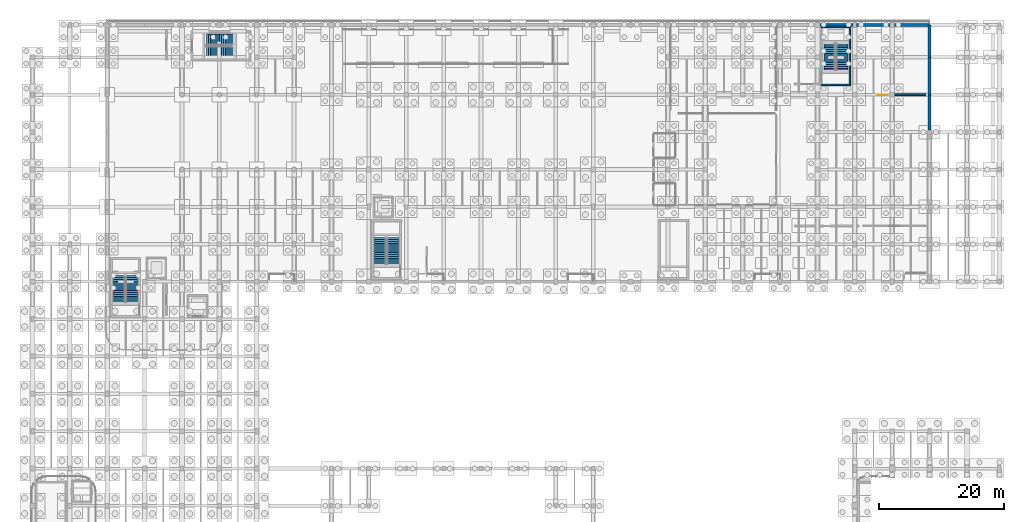
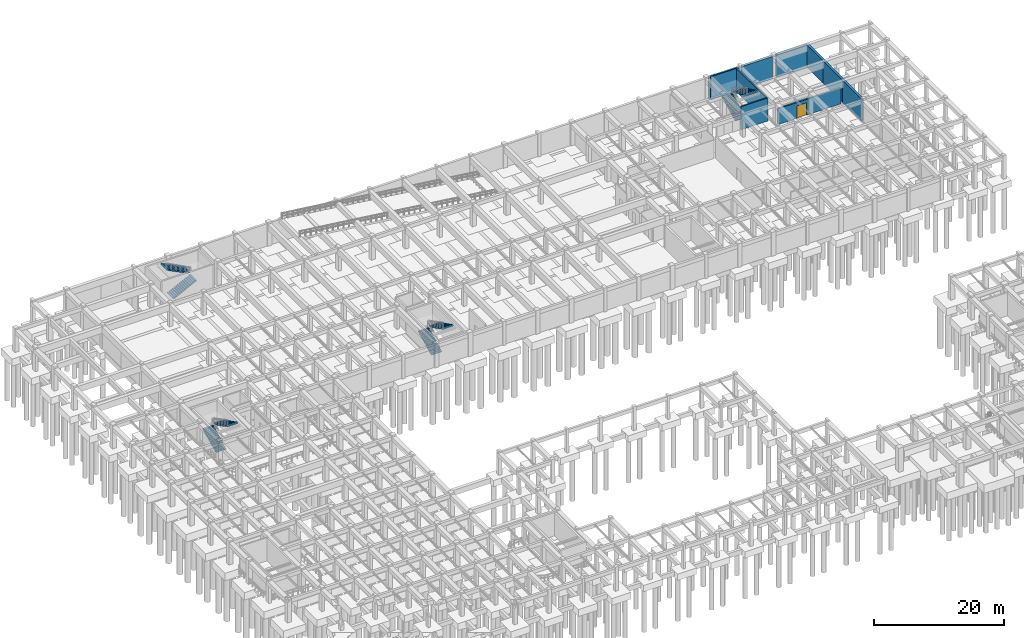
# One storey, part 22 of 32: 10 walls, 8 stair flights, 1 door, 1 opening, 4 elements without a shape of their own.
"""IFC4 building model written with IfcOpenShell, lengths in metres."""

from ifc_helpers import new_model, si_unit, direction, frame, frame_2d, origin, place, context, subcontext, project, spatial, polyline, rectangle, outline, extrude, material, layer, layer_set, type_object, element, fill, aggregate, save


model = new_model("IFC4")

# Units and contexts
model_context = context("Model", 3, precision=1e-05, world=origin(), true_north=direction((0.0, 1.0)))
body_context = subcontext(model_context, "Body", "Model", "MODEL_VIEW")
ifc_project = project(units=[si_unit("LENGTHUNIT", "METRE"), si_unit("AREAUNIT", "SQUARE_METRE"), si_unit("VOLUMEUNIT", "CUBIC_METRE"), si_unit("PLANEANGLEUNIT", "RADIAN"), si_unit("MASSUNIT", "GRAM", prefix="KILO")], contexts=[model_context])

# Site, building, storey
site_placement = place(None, origin())
site = spatial("IfcSite", under=ifc_project, at=site_placement, CompositionType="ELEMENT")
building_placement = place(site_placement, origin())
building = spatial("IfcBuilding", under=site, at=building_placement, Name="Varnakota Square Police Headquarters", CompositionType="ELEMENT")
storey_placement = place(building_placement, frame((0.0, 0.0, -4.5)))
storey = spatial("IfcBuildingStorey", under=building, at=storey_placement, Name="B1", CompositionType="ELEMENT", Elevation=-4.5)

# Walls
ifc_material_1 = material(Name="Concrete M40", Category="concrete")
ifc_layer_1 = layer(ifc_material_1, 0.22998046875, Name="Concrete M40")
ifc_layer_set_1 = layer_set([ifc_layer_1], Name="Concrete M40")
wall_type_1 = type_object("IfcWallType", Name="WL-CORE-230", PredefinedType="SHEAR", material=ifc_layer_set_1)
wall_1_placement = place(storey_placement, frame((132.5849609375, 100.60009765625, 0.0), z_axis=(0.0, 0.0, 1.0), x_axis=(1.0, 0.0, 0.0)))
element("IfcWall", 1, at=wall_1_placement, inside=storey, type_object=wall_type_1, Name="Core C8 shear wall B1 S", PredefinedType="SHEAR", context=body_context, shape_type="SweptSolid", body=[
    extrude(rectangle(XDim=4.72998046875, YDim=0.22998046875, at=frame_2d((2.364990234375, 0.0))), origin(), (0.0, 0.0, 1.0), 4.360107421875),
])
wall_2_placement = place(storey_placement, frame((137.199951171875, 100.485107421875, 0.0), z_axis=(0.0, 0.0, 1.0), x_axis=(0.0, 1.0, 0.0)))
element("IfcWall", 2, at=wall_2_placement, inside=storey, type_object=wall_type_1, Name="Core C8 shear wall B1 E", PredefinedType="SHEAR", context=body_context, shape_type="SweptSolid", body=[
    extrude(rectangle(XDim=9.52978515625, YDim=0.22998046875, at=frame_2d((4.764892578125, 0.0))), origin(), (0.0, 0.0, 1.0), 4.360107421875),
])
wall_3_placement = place(storey_placement, frame((137.31494140625, 109.89990234375, 0.0), z_axis=(0.0, 0.0, 1.0), x_axis=(-1.0, 0.0, 0.0)))
element("IfcWall", 3, at=wall_3_placement, inside=storey, type_object=wall_type_1, Name="Core C8 shear wall B1 N", PredefinedType="SHEAR", context=body_context, shape_type="SweptSolid", body=[
    extrude(rectangle(XDim=4.72998046875, YDim=0.22998046875, at=frame_2d((2.364990234375, 0.0))), origin(), (0.0, 0.0, 1.0), 4.360107421875),
])

# Wall, opening, door
ifc_layer_2 = layer(ifc_material_1, 0.2900390625, Name="Concrete M40")
ifc_layer_set_2 = layer_set([ifc_layer_2], Name="Concrete M40")
wall_type_2 = type_object("IfcWallType", Name="WL-PRT-290F", PredefinedType="PARTITIONING", material=ifc_layer_set_2)
wall_4_placement = place(storey_placement, frame((149.39990234375, 99.0, 0.0), z_axis=(0.0, 0.0, 1.0), x_axis=(-1.0, 0.0, 0.0)))
wall_4 = element("IfcWall", 4, at=wall_4_placement, inside=storey, type_object=wall_type_2, Name="Interior partition PW-B1-0009 (Fire Water Pump and Tank Plant Room)", PredefinedType="PARTITIONING", context=body_context, shape_type="SweptSolid", body=[
    extrude(rectangle(XDim=11.199951171875, YDim=0.2900390625, at=frame_2d((5.60009765625, 0.0))), origin(), (0.0, 0.0, 1.0), 2.989990234375),
])
opening_placement = place(wall_4_placement, frame((6.10009765625, 0.0, 0.0)))
opening = element("IfcOpeningElement", 5, at=opening_placement, cuts=wall_4, Name="Opening D151", PredefinedType="OPENING", context=body_context, shape_type="SweptSolid", body=[
    extrude(rectangle(XDim=1.699951171875, YDim=2.35009765625, at=frame_2d((0.85009765625, 1.175048828125))), frame((0.0, 0.155029296875, 0.0), z_axis=(0.0, -1.0, 0.0), x_axis=(1.0, 0.0, 0.0)), (0.0, 0.0, 1.0), 0.31005859375),
])
ifc_material_2 = material(Name="Hot-Dip Galvanised Louvred Steel", Category="steel")
door_type = type_object("IfcDoorType", Name="DR-PLT-170", OperationType="NOTDEFINED", PredefinedType="DOOR", material=ifc_material_2)
door_placement = place(opening_placement, origin())
door = element("IfcDoor", 6, at=door_placement, inside=storey, type_object=door_type, Name="Room door D151 (Fire Water Pump and Tank Plant Room)", OperationType="DOUBLE_DOOR_SINGLE_SWING", OverallHeight=2.35009765625, OverallWidth=1.699951171875, PredefinedType="DOOR", context=body_context, shape_type="SweptSolid", body=[
    extrude(rectangle(XDim=1.699951171875, YDim=2.35009765625, at=frame_2d((0.85009765625, 1.175048828125))), frame((0.0, 0.02490234375, 0.0), z_axis=(0.0, -1.0, 0.0), x_axis=(1.0, 0.0, 0.0)), (0.0, 0.0, 1.0), 0.050048828125),
])
fill(opening, door)

# Walls
ifc_material_3 = material(Name="Concrete M50", Category="concrete")
ifc_layer_3 = layer(ifc_material_3, 0.419921875, Name="Concrete M50")
ifc_layer_set_3 = layer_set([ifc_layer_3], Name="Concrete M50")
wall_type_3 = type_object("IfcWallType", Name="WL-RET-420", PredefinedType="SHEAR", material=ifc_layer_set_3)
for number, where, z_axis, x_axis, name in (
    (7, (132.37890625, 110.199951171875, 0.0), (0.0, 0.0, 1.0), (1.0, 0.0, 0.0), "Exterior wall EW-B1-0037"),
    (8, (138.25390625, 110.199951171875, 0.0), (0.0, 0.0, 1.0), (1.0, 0.0, 0.0), "Exterior wall EW-B1-0039"),
):
    element("IfcWall", number, at=place(storey_placement, frame(where, z_axis=z_axis, x_axis=x_axis)), inside=storey, type_object=wall_type_3, Name=name, PredefinedType="SHEAR", context=body_context, shape_type="SweptSolid", body=[
        extrude(rectangle(XDim=5.3671875, YDim=0.419921875, at=frame_2d((2.68359375, 0.0))), origin(), (0.0, 0.0, 1.0), 4.195068359375),
    ])
wall_5_placement = place(storey_placement, frame((144.37890625, 110.199951171875, 0.0), z_axis=(0.0, 0.0, 1.0), x_axis=(1.0, 0.0, 0.0)))
element("IfcWall", 9, at=wall_5_placement, inside=storey, type_object=wall_type_3, Name="Exterior wall EW-B1-0041", PredefinedType="SHEAR", context=body_context, shape_type="SweptSolid", body=[
    extrude(rectangle(XDim=5.62109375, YDim=0.419921875, at=frame_2d((2.810546875, 0.0))), origin(), (0.0, 0.0, 1.0), 4.195068359375),
])
wall_6_placement = place(storey_placement, frame((150.0, 93.303955078125, 0.0), z_axis=(0.0, 0.0, 1.0), x_axis=(0.0, 1.0, 0.0)))
element("IfcWall", 10, at=wall_6_placement, inside=storey, type_object=wall_type_3, Name="Exterior wall EW-B1-0051", PredefinedType="SHEAR", context=body_context, shape_type="SweptSolid", body=[
    extrude(rectangle(XDim=5.696044921875, YDim=0.419921875, at=frame_2d((2.84814453125, 0.0))), origin(), (0.0, 0.0, 1.0), 4.195068359375),
])
wall_7_placement = place(storey_placement, frame((150.0, 99.0, 0.0), z_axis=(0.0, 0.0, 1.0), x_axis=(0.0, 1.0, 0.0)))
element("IfcWall", 11, at=wall_7_placement, inside=storey, type_object=wall_type_3, Name="Exterior wall EW-B1-0053", PredefinedType="SHEAR", context=body_context, shape_type="SweptSolid", body=[
    extrude(rectangle(XDim=6.0, YDim=0.419921875, at=frame_2d((3.0, 0.0))), origin(), (0.0, 0.0, 1.0), 4.195068359375),
])
wall_8_placement = place(storey_placement, frame((150.0, 105.0, 0.0), z_axis=(0.0, 0.0, 1.0), x_axis=(0.0, 1.0, 0.0)))
element("IfcWall", 12, at=wall_8_placement, inside=storey, type_object=wall_type_3, Name="Exterior wall EW-B1-0055", PredefinedType="SHEAR", context=body_context, shape_type="SweptSolid", body=[
    extrude(rectangle(XDim=5.199951171875, YDim=0.419921875, at=frame_2d((2.60009765625, 0.0))), origin(), (0.0, 0.0, 1.0), 4.195068359375),
])

# Stair, stair flights
stair_type = type_object("IfcStairType", Name="STR-DOG-1850", PredefinedType="USERDEFINED", material=ifc_material_1)
stair_1_placement = place(storey_placement, origin())
stair_1 = element("IfcStair", 13, at=stair_1_placement, inside=storey, type_object=stair_type, Name="Protected exit stair ST5 (B1)", ObjectType="TWO_RETURN_STAIR", PredefinedType="USERDEFINED")
stair_flight_type = type_object("IfcStairFlightType", Name="SFL-DOG-1850", PredefinedType="STRAIGHT", material=ifc_material_1)
stair_flight_1_placement = place(storey_placement, frame((19.945068359375, 65.75, 0.0), z_axis=(0.0, 0.0, 1.0), x_axis=(0.0, 1.0, 0.0)))
stair_flight_1 = element("IfcStairFlight", 14, at=stair_flight_1_placement, type_object=stair_flight_type, Name="ST5-B1 flight 1", NumberOfRisers=15, NumberOfTreads=14, PredefinedType="STRAIGHT", RiserHeight=0.15, TreadLength=0.3, context=body_context, shape_type="SweptSolid", body=[
    extrude(outline(polyline([(0.0, 0.0), (0.0, 0.14990234375), (0.300048828125, 0.14990234375), (0.300048828125, 0.300048828125), (0.60009765625, 0.300048828125), (0.60009765625, 0.449951171875), (0.900146484375, 0.449951171875), (0.900146484375, 0.60009765625), (1.2001953125, 0.60009765625), (1.2001953125, 0.75), (1.500244140625, 0.75), (1.500244140625, 0.89990234375), (1.80029296875, 0.89990234375), (1.80029296875, 1.050048828125), (2.100341796875, 1.050048828125), (2.100341796875, 1.199951171875), (2.400390625, 1.199951171875), (2.400390625, 1.35009765625), (2.700439453125, 1.35009765625), (2.700439453125, 1.5), (3.00048828125, 1.5), (3.00048828125, 1.64990234375), (3.300537109375, 1.64990234375), (3.300537109375, 1.800048828125), (3.6005859375, 1.800048828125), (3.6005859375, 1.949951171875), (3.900634765625, 1.949951171875), (3.900634765625, 2.10009765625), (4.20068359375, 2.10009765625), (4.20068359375, 2.25), (4.20068359375, 1.89892578125), (0.40234375, 0.0), (0.0, 0.0)])), frame((0.0, 0.925048828125, 0.0), z_axis=(0.0, -1.0, 0.0), x_axis=(1.0, 0.0, 0.0)), (0.0, 0.0, 1.0), 1.85009765625),
])
stair_flight_2_placement = place(storey_placement, frame((21.955078125, 69.95068359375, 2.25), z_axis=(0.0, 0.0, 1.0), x_axis=(0.0, -1.0, 0.0)))
stair_flight_2 = element("IfcStairFlight", 15, at=stair_flight_2_placement, type_object=stair_flight_type, Name="ST5-B1 flight 2", NumberOfRisers=15, NumberOfTreads=14, PredefinedType="STRAIGHT", RiserHeight=0.15, TreadLength=0.3, context=body_context, shape_type="SweptSolid", body=[
    extrude(outline(polyline([(0.0, 0.0), (0.0, 0.14990234375), (0.300048828125, 0.14990234375), (0.300048828125, 0.300048828125), (0.60009765625, 0.300048828125), (0.60009765625, 0.449951171875), (0.900146484375, 0.449951171875), (0.900146484375, 0.60009765625), (1.2001953125, 0.60009765625), (1.2001953125, 0.75), (1.500244140625, 0.75), (1.500244140625, 0.89990234375), (1.80029296875, 0.89990234375), (1.80029296875, 1.050048828125), (2.100341796875, 1.050048828125), (2.100341796875, 1.199951171875), (2.400390625, 1.199951171875), (2.400390625, 1.35009765625), (2.700439453125, 1.35009765625), (2.700439453125, 1.5), (3.00048828125, 1.5), (3.00048828125, 1.64990234375), (3.300537109375, 1.64990234375), (3.300537109375, 1.800048828125), (3.6005859375, 1.800048828125), (3.6005859375, 1.949951171875), (3.900634765625, 1.949951171875), (3.900634765625, 2.10009765625), (4.20068359375, 2.10009765625), (4.20068359375, 2.25), (4.20068359375, 1.89892578125), (0.40234375, 0.0), (0.0, 0.0)])), frame((0.0, 0.925048828125, 0.0), z_axis=(0.0, -1.0, 0.0), x_axis=(1.0, 0.0, 0.0)), (0.0, 0.0, 1.0), 1.85009765625),
])
aggregate(stair_1, [stair_flight_1, stair_flight_2])

stair_2_placement = place(storey_placement, origin())
stair_2 = element("IfcStair", 16, at=stair_2_placement, inside=storey, type_object=stair_type, Name="Protected exit stair ST6 (B1)", ObjectType="TWO_RETURN_STAIR", PredefinedType="USERDEFINED")
stair_flight_3_placement = place(storey_placement, frame((61.844970703125, 71.85009765625, 0.0), z_axis=(0.0, 0.0, 1.0), x_axis=(0.0, 1.0, 0.0)))
stair_flight_3 = element("IfcStairFlight", 17, at=stair_flight_3_placement, type_object=stair_flight_type, Name="ST6-B1 flight 1", NumberOfRisers=15, NumberOfTreads=14, PredefinedType="STRAIGHT", RiserHeight=0.15, TreadLength=0.3, context=body_context, shape_type="SweptSolid", body=[
    extrude(outline(polyline([(0.0, 0.0), (0.0, 0.14990234375), (0.300048828125, 0.14990234375), (0.300048828125, 0.300048828125), (0.60009765625, 0.300048828125), (0.60009765625, 0.449951171875), (0.900146484375, 0.449951171875), (0.900146484375, 0.60009765625), (1.2001953125, 0.60009765625), (1.2001953125, 0.75), (1.500244140625, 0.75), (1.500244140625, 0.89990234375), (1.80029296875, 0.89990234375), (1.80029296875, 1.050048828125), (2.100341796875, 1.050048828125), (2.100341796875, 1.199951171875), (2.400390625, 1.199951171875), (2.400390625, 1.35009765625), (2.700439453125, 1.35009765625), (2.700439453125, 1.5), (3.00048828125, 1.5), (3.00048828125, 1.64990234375), (3.300537109375, 1.64990234375), (3.300537109375, 1.800048828125), (3.6005859375, 1.800048828125), (3.6005859375, 1.949951171875), (3.900634765625, 1.949951171875), (3.900634765625, 2.10009765625), (4.20068359375, 2.10009765625), (4.20068359375, 2.25), (4.20068359375, 1.89892578125), (0.40234375, 0.0), (0.0, 0.0)])), frame((0.0, 0.925048828125, 0.0), z_axis=(0.0, -1.0, 0.0), x_axis=(1.0, 0.0, 0.0)), (0.0, 0.0, 1.0), 1.85009765625),
])
stair_flight_4_placement = place(storey_placement, frame((63.85498046875, 76.05078125, 2.25), z_axis=(0.0, 0.0, 1.0), x_axis=(0.0, -1.0, 0.0)))
stair_flight_4 = element("IfcStairFlight", 18, at=stair_flight_4_placement, type_object=stair_flight_type, Name="ST6-B1 flight 2", NumberOfRisers=15, NumberOfTreads=14, PredefinedType="STRAIGHT", RiserHeight=0.15, TreadLength=0.3, context=body_context, shape_type="SweptSolid", body=[
    extrude(outline(polyline([(0.0, 0.0), (0.0, 0.14990234375), (0.300048828125, 0.14990234375), (0.300048828125, 0.300048828125), (0.60009765625, 0.300048828125), (0.60009765625, 0.449951171875), (0.900146484375, 0.449951171875), (0.900146484375, 0.60009765625), (1.2001953125, 0.60009765625), (1.2001953125, 0.75), (1.500244140625, 0.75), (1.500244140625, 0.89990234375), (1.80029296875, 0.89990234375), (1.80029296875, 1.050048828125), (2.100341796875, 1.050048828125), (2.100341796875, 1.199951171875), (2.400390625, 1.199951171875), (2.400390625, 1.35009765625), (2.700439453125, 1.35009765625), (2.700439453125, 1.5), (3.00048828125, 1.5), (3.00048828125, 1.64990234375), (3.300537109375, 1.64990234375), (3.300537109375, 1.800048828125), (3.6005859375, 1.800048828125), (3.6005859375, 1.949951171875), (3.900634765625, 1.949951171875), (3.900634765625, 2.10009765625), (4.20068359375, 2.10009765625), (4.20068359375, 2.25), (4.20068359375, 1.89892578125), (0.40234375, 0.0), (0.0, 0.0)])), frame((0.0, 0.925048828125, 0.0), z_axis=(0.0, -1.0, 0.0), x_axis=(1.0, 0.0, 0.0)), (0.0, 0.0, 1.0), 1.85009765625),
])
aggregate(stair_2, [stair_flight_3, stair_flight_4])

stair_3_placement = place(storey_placement, origin())
stair_3 = element("IfcStair", 19, at=stair_3_placement, inside=storey, type_object=stair_type, Name="Protected exit stair ST7 (B1)", ObjectType="TWO_RETURN_STAIR", PredefinedType="USERDEFINED")
stair_flight_5_placement = place(storey_placement, frame((33.949951171875, 105.844970703125, 0.0), z_axis=(0.0, 0.0, 1.0), x_axis=(1.0, 0.0, 0.0)))
stair_flight_5 = element("IfcStairFlight", 20, at=stair_flight_5_placement, type_object=stair_flight_type, Name="ST7-B1 flight 1", NumberOfRisers=15, NumberOfTreads=14, PredefinedType="STRAIGHT", RiserHeight=0.15, TreadLength=0.3, context=body_context, shape_type="SweptSolid", body=[
    extrude(outline(polyline([(0.0, 0.0), (0.0, 0.14990234375), (0.300048828125, 0.14990234375), (0.300048828125, 0.300048828125), (0.60009765625, 0.300048828125), (0.60009765625, 0.449951171875), (0.900146484375, 0.449951171875), (0.900146484375, 0.60009765625), (1.2001953125, 0.60009765625), (1.2001953125, 0.75), (1.500244140625, 0.75), (1.500244140625, 0.89990234375), (1.80029296875, 0.89990234375), (1.80029296875, 1.050048828125), (2.100341796875, 1.050048828125), (2.100341796875, 1.199951171875), (2.400390625, 1.199951171875), (2.400390625, 1.35009765625), (2.700439453125, 1.35009765625), (2.700439453125, 1.5), (3.00048828125, 1.5), (3.00048828125, 1.64990234375), (3.300537109375, 1.64990234375), (3.300537109375, 1.800048828125), (3.6005859375, 1.800048828125), (3.6005859375, 1.949951171875), (3.900634765625, 1.949951171875), (3.900634765625, 2.10009765625), (4.20068359375, 2.10009765625), (4.20068359375, 2.25), (4.20068359375, 1.89892578125), (0.40234375, 0.0), (0.0, 0.0)])), frame((0.0, 0.925048828125, 0.0), z_axis=(0.0, -1.0, 0.0), x_axis=(1.0, 0.0, 0.0)), (0.0, 0.0, 1.0), 1.85009765625),
])
stair_flight_6_placement = place(storey_placement, frame((38.150634765625, 107.85498046875, 2.25), z_axis=(0.0, 0.0, 1.0), x_axis=(-1.0, 0.0, 0.0)))
stair_flight_6 = element("IfcStairFlight", 21, at=stair_flight_6_placement, type_object=stair_flight_type, Name="ST7-B1 flight 2", NumberOfRisers=15, NumberOfTreads=14, PredefinedType="STRAIGHT", RiserHeight=0.15, TreadLength=0.3, context=body_context, shape_type="SweptSolid", body=[
    extrude(outline(polyline([(0.0, 0.0), (0.0, 0.14990234375), (0.300048828125, 0.14990234375), (0.300048828125, 0.300048828125), (0.60009765625, 0.300048828125), (0.60009765625, 0.449951171875), (0.900146484375, 0.449951171875), (0.900146484375, 0.60009765625), (1.2001953125, 0.60009765625), (1.2001953125, 0.75), (1.500244140625, 0.75), (1.500244140625, 0.89990234375), (1.80029296875, 0.89990234375), (1.80029296875, 1.050048828125), (2.100341796875, 1.050048828125), (2.100341796875, 1.199951171875), (2.400390625, 1.199951171875), (2.400390625, 1.35009765625), (2.700439453125, 1.35009765625), (2.700439453125, 1.5), (3.00048828125, 1.5), (3.00048828125, 1.64990234375), (3.300537109375, 1.64990234375), (3.300537109375, 1.800048828125), (3.6005859375, 1.800048828125), (3.6005859375, 1.949951171875), (3.900634765625, 1.949951171875), (3.900634765625, 2.10009765625), (4.20068359375, 2.10009765625), (4.20068359375, 2.25), (4.20068359375, 1.89892578125), (0.40234375, 0.0), (0.0, 0.0)])), frame((0.0, 0.925048828125, 0.0), z_axis=(0.0, -1.0, 0.0), x_axis=(1.0, 0.0, 0.0)), (0.0, 0.0, 1.0), 1.85009765625),
])
aggregate(stair_3, [stair_flight_5, stair_flight_6])

stair_4_placement = place(storey_placement, origin())
stair_4 = element("IfcStair", 22, at=stair_4_placement, inside=storey, type_object=stair_type, Name="Protected exit stair ST8 (B1)", ObjectType="TWO_RETURN_STAIR", PredefinedType="USERDEFINED")
stair_flight_7_placement = place(storey_placement, frame((133.945068359375, 102.949951171875, 0.0), z_axis=(0.0, 0.0, 1.0), x_axis=(0.0, 1.0, 0.0)))
stair_flight_7 = element("IfcStairFlight", 23, at=stair_flight_7_placement, type_object=stair_flight_type, Name="ST8-B1 flight 1", NumberOfRisers=15, NumberOfTreads=14, PredefinedType="STRAIGHT", RiserHeight=0.15, TreadLength=0.3, context=body_context, shape_type="SweptSolid", body=[
    extrude(outline(polyline([(0.0, 0.0), (0.0, 0.14990234375), (0.300048828125, 0.14990234375), (0.300048828125, 0.300048828125), (0.60009765625, 0.300048828125), (0.60009765625, 0.449951171875), (0.900146484375, 0.449951171875), (0.900146484375, 0.60009765625), (1.2001953125, 0.60009765625), (1.2001953125, 0.75), (1.500244140625, 0.75), (1.500244140625, 0.89990234375), (1.80029296875, 0.89990234375), (1.80029296875, 1.050048828125), (2.100341796875, 1.050048828125), (2.100341796875, 1.199951171875), (2.400390625, 1.199951171875), (2.400390625, 1.35009765625), (2.700439453125, 1.35009765625), (2.700439453125, 1.5), (3.00048828125, 1.5), (3.00048828125, 1.64990234375), (3.300537109375, 1.64990234375), (3.300537109375, 1.800048828125), (3.6005859375, 1.800048828125), (3.6005859375, 1.949951171875), (3.900634765625, 1.949951171875), (3.900634765625, 2.10009765625), (4.20068359375, 2.10009765625), (4.20068359375, 2.25), (4.20068359375, 1.89892578125), (0.40234375, 0.0), (0.0, 0.0)])), frame((0.0, 0.925048828125, 0.0), z_axis=(0.0, -1.0, 0.0), x_axis=(1.0, 0.0, 0.0)), (0.0, 0.0, 1.0), 1.85009765625),
])
stair_flight_8_placement = place(storey_placement, frame((135.955078125, 107.150634765625, 2.25), z_axis=(0.0, 0.0, 1.0), x_axis=(0.0, -1.0, 0.0)))
stair_flight_8 = element("IfcStairFlight", 24, at=stair_flight_8_placement, type_object=stair_flight_type, Name="ST8-B1 flight 2", NumberOfRisers=15, NumberOfTreads=14, PredefinedType="STRAIGHT", RiserHeight=0.15, TreadLength=0.3, context=body_context, shape_type="SweptSolid", body=[
    extrude(outline(polyline([(0.0, 0.0), (0.0, 0.14990234375), (0.300048828125, 0.14990234375), (0.300048828125, 0.300048828125), (0.60009765625, 0.300048828125), (0.60009765625, 0.449951171875), (0.900146484375, 0.449951171875), (0.900146484375, 0.60009765625), (1.2001953125, 0.60009765625), (1.2001953125, 0.75), (1.500244140625, 0.75), (1.500244140625, 0.89990234375), (1.80029296875, 0.89990234375), (1.80029296875, 1.050048828125), (2.100341796875, 1.050048828125), (2.100341796875, 1.199951171875), (2.400390625, 1.199951171875), (2.400390625, 1.35009765625), (2.700439453125, 1.35009765625), (2.700439453125, 1.5), (3.00048828125, 1.5), (3.00048828125, 1.64990234375), (3.300537109375, 1.64990234375), (3.300537109375, 1.800048828125), (3.6005859375, 1.800048828125), (3.6005859375, 1.949951171875), (3.900634765625, 1.949951171875), (3.900634765625, 2.10009765625), (4.20068359375, 2.10009765625), (4.20068359375, 2.25), (4.20068359375, 1.89892578125), (0.40234375, 0.0), (0.0, 0.0)])), frame((0.0, 0.925048828125, 0.0), z_axis=(0.0, -1.0, 0.0), x_axis=(1.0, 0.0, 0.0)), (0.0, 0.0, 1.0), 1.85009765625),
])
aggregate(stair_4, [stair_flight_7, stair_flight_8])

save(model, "model.ifc")
